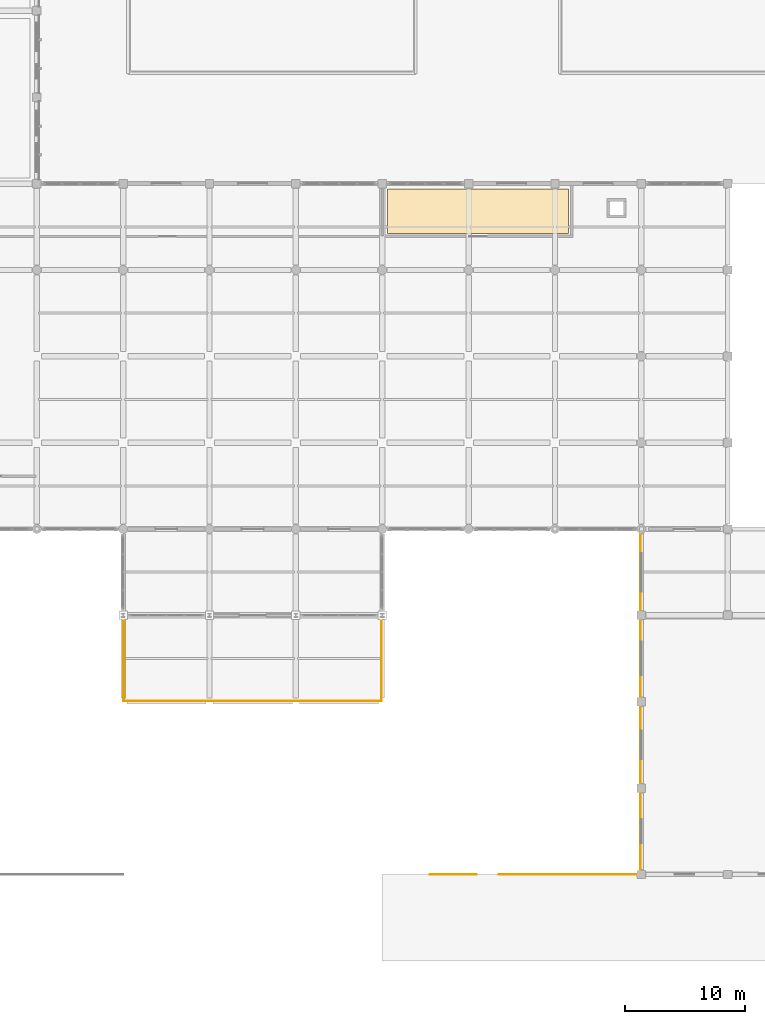
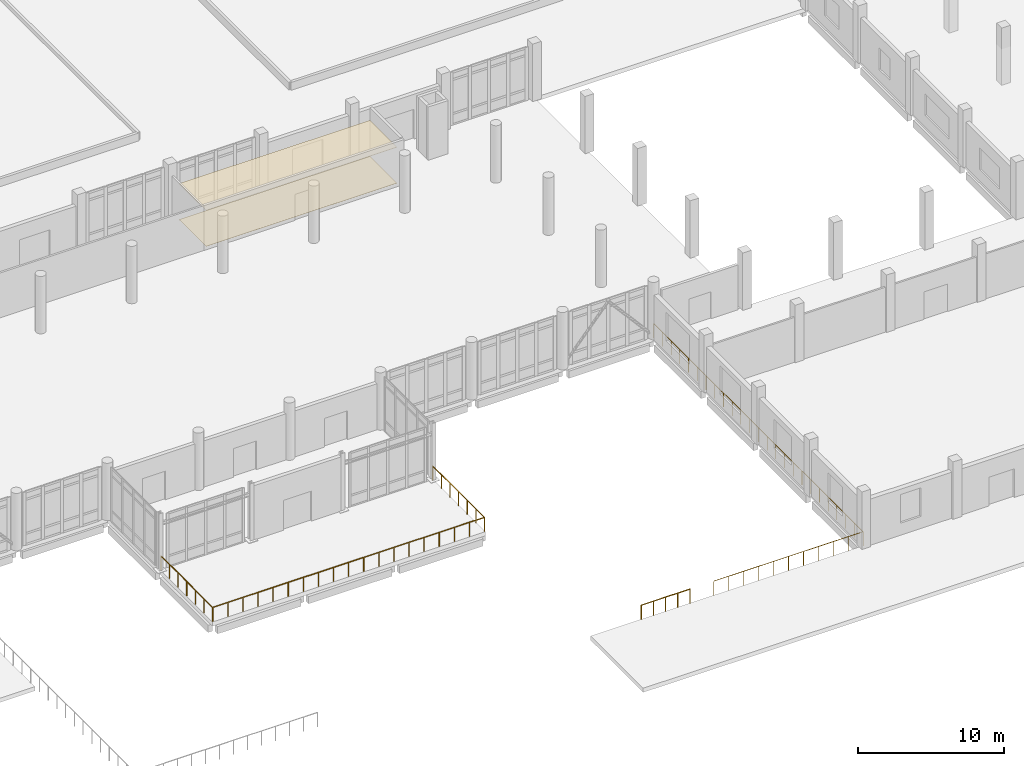
# One storey, part 50 of 59: 3 railings, 2 coverings.
"""IFC4 building model written with IfcOpenShell, lengths in metres."""

from ifc_helpers import new_model, si_unit, direction, frame, origin, origin_2d, place, context, subcontext, project, spatial, polyline, circle, outline, extrude, material, layer, layer_set, type_object, element, save


model = new_model("IFC4")

# Units and contexts
model_context = context("Model", 3, precision=1e-05, world=origin(), true_north=direction((0.0, 1.0)))
body_context = subcontext(model_context, "Body", "Model", "MODEL_VIEW")
ifc_project = project(units=[si_unit("LENGTHUNIT", "METRE"), si_unit("AREAUNIT", "SQUARE_METRE"), si_unit("VOLUMEUNIT", "CUBIC_METRE"), si_unit("PLANEANGLEUNIT", "RADIAN"), si_unit("MASSUNIT", "GRAM", prefix="KILO")], contexts=[model_context])

# Site, building, storey
site_placement = place(None, origin())
site = spatial("IfcSite", under=ifc_project, at=site_placement, CompositionType="ELEMENT")
building_placement = place(site_placement, origin())
building = spatial("IfcBuilding", under=site, at=building_placement, Name="Valkovuoma Quantum and Materials Research Institute", CompositionType="ELEMENT")
storey_placement = place(building_placement, origin())
storey = spatial("IfcBuildingStorey", under=building, at=storey_placement, Name="L00", CompositionType="ELEMENT", Elevation=0.0)

# Coverings
ifc_material_1 = material(Name="Cleanable acoustic mineral-fibre suspended ceiling", Category="masonry")
ifc_layer_1 = layer(ifc_material_1, 0.02490234375)
ifc_layer_set_1 = layer_set([ifc_layer_1], Name="Cleanable acoustic mineral-fibre suspended ceiling")
covering_type_1 = type_object("IfcCoveringType", Name="Cov-CEIL-01", PredefinedType="CEILING", material=ifc_layer_set_1)
covering_1_placement = place(storey_placement, frame((0.0, 0.0, 3.0)))
element("IfcCovering", 1, at=covering_1_placement, inside=storey, type_object=covering_type_1, Name="L00 acoustic ceiling 0011", PredefinedType="CEILING", context=body_context, shape_type="SweptSolid", body=[
    extrude(outline(polyline([(79.64990234375, 60.64990234375), (94.75, 60.64990234375), (94.75, 64.35009765625), (79.64990234375, 64.35009765625), (79.64990234375, 60.64990234375)])), origin(), (0.0, 0.0, 1.0), 0.02490234375),
])
ifc_material_2 = material(Name="Seamless dissipative laboratory resin flooring", Category="masonry")
ifc_layer_2 = layer(ifc_material_2, 0.014892578125)
ifc_layer_set_2 = layer_set([ifc_layer_2], Name="Seamless dissipative laboratory resin flooring")
covering_type_2 = type_object("IfcCoveringType", Name="Cov-FLOR-01", PredefinedType="FLOORING", material=ifc_layer_set_2)
covering_2_placement = place(storey_placement, origin())
element("IfcCovering", 2, at=covering_2_placement, inside=storey, type_object=covering_type_2, Name="L00 resin flooring 0011", PredefinedType="FLOORING", context=body_context, shape_type="SweptSolid", body=[
    extrude(outline(polyline([(79.64990234375, 60.64990234375), (94.75, 60.64990234375), (94.75, 64.35009765625), (79.64990234375, 64.35009765625), (79.64990234375, 60.64990234375)])), origin(), (0.0, 0.0, 1.0), 0.014892578125),
])

# Railings
ifc_material_3 = material(Name="Hot-dip galvanised and powder-coated steel guardrail", Category="steel")
railing_type = type_object("IfcRailingType", Name="Rail-GRD-EXT", PredefinedType="BALUSTRADE", material=ifc_material_3)
railing_1_placement = place(storey_placement, frame((57.64990234375, 28.75, 0.0)))
element("IfcRailing", 3, at=railing_1_placement, inside=storey, type_object=railing_type, Name="L00 perimeter balustrade 06", PredefinedType="BALUSTRADE", context=body_context, shape_type="SweptSolid", body=[
    extrude(circle(Radius=0.02392578125, at=origin_2d()), frame((0.0, 0.0, 1.17578125), z_axis=(0.0, -1.0, 0.0), x_axis=(1.0, 0.0, 0.0)), (0.0, 0.0, 1.0), 7.10009765625),
    extrude(circle(Radius=0.02392578125, at=origin_2d()), frame((0.0, -7.10009765625, 1.17578125), z_axis=(1.0, 0.0, 0.0), x_axis=(0.0, 1.0, 0.0)), (0.0, 0.0, 1.0), 21.5),
    extrude(circle(Radius=0.02392578125, at=origin_2d()), frame((21.5, -7.10009765625, 1.17578125), z_axis=(0.0, 1.0, 0.0), x_axis=(-1.0, 0.0, 0.0)), (0.0, 0.0, 1.0), 7.10009765625),
    extrude(circle(Radius=0.02099609375, at=origin_2d()), origin(), (0.0, 0.0, 1.0), 1.15185546875),
    extrude(circle(Radius=0.02099609375, at=origin_2d()), frame((0.0, -1.183349609375, 0.0)), (0.0, 0.0, 1.0), 1.15185546875),
    extrude(circle(Radius=0.02099609375, at=origin_2d()), frame((0.0, -2.36669921875, 0.0)), (0.0, 0.0, 1.0), 1.15185546875),
    extrude(circle(Radius=0.02099609375, at=origin_2d()), frame((0.0, -3.550048828125, 0.0)), (0.0, 0.0, 1.0), 1.15185546875),
    extrude(circle(Radius=0.02099609375, at=origin_2d()), frame((0.0, -4.7333984375, 0.0)), (0.0, 0.0, 1.0), 1.15185546875),
    extrude(circle(Radius=0.02099609375, at=origin_2d()), frame((0.0, -5.916748046875, 0.0)), (0.0, 0.0, 1.0), 1.15185546875),
    extrude(circle(Radius=0.02099609375, at=origin_2d()), frame((0.0, -7.10009765625, 0.0)), (0.0, 0.0, 1.0), 1.15185546875),
    extrude(circle(Radius=0.02099609375, at=origin_2d()), frame((1.1943359375, -7.10009765625, 0.0)), (0.0, 0.0, 1.0), 1.15185546875),
    extrude(circle(Radius=0.02099609375, at=origin_2d()), frame((2.388916015625, -7.10009765625, 0.0)), (0.0, 0.0, 1.0), 1.15185546875),
    extrude(circle(Radius=0.02099609375, at=origin_2d()), frame((3.583251953125, -7.10009765625, 0.0)), (0.0, 0.0, 1.0), 1.15185546875),
    extrude(circle(Radius=0.02099609375, at=origin_2d()), frame((4.77783203125, -7.10009765625, 0.0)), (0.0, 0.0, 1.0), 1.15185546875),
    extrude(circle(Radius=0.02099609375, at=origin_2d()), frame((5.97216796875, -7.10009765625, 0.0)), (0.0, 0.0, 1.0), 1.15185546875),
    extrude(circle(Radius=0.02099609375, at=origin_2d()), frame((7.166748046875, -7.10009765625, 0.0)), (0.0, 0.0, 1.0), 1.15185546875),
    extrude(circle(Radius=0.02099609375, at=origin_2d()), frame((8.361083984375, -7.10009765625, 0.0)), (0.0, 0.0, 1.0), 1.15185546875),
    extrude(circle(Radius=0.02099609375, at=origin_2d()), frame((9.5556640625, -7.10009765625, 0.0)), (0.0, 0.0, 1.0), 1.15185546875),
    extrude(circle(Radius=0.02099609375, at=origin_2d()), frame((10.75, -7.10009765625, 0.0)), (0.0, 0.0, 1.0), 1.15185546875),
    extrude(circle(Radius=0.02099609375, at=origin_2d()), frame((11.9443359375, -7.10009765625, 0.0)), (0.0, 0.0, 1.0), 1.15185546875),
    extrude(circle(Radius=0.02099609375, at=origin_2d()), frame((13.138916015625, -7.10009765625, 0.0)), (0.0, 0.0, 1.0), 1.15185546875),
    extrude(circle(Radius=0.02099609375, at=origin_2d()), frame((14.333251953125, -7.10009765625, 0.0)), (0.0, 0.0, 1.0), 1.15185546875),
    extrude(circle(Radius=0.02099609375, at=origin_2d()), frame((15.52783203125, -7.10009765625, 0.0)), (0.0, 0.0, 1.0), 1.15185546875),
    extrude(circle(Radius=0.02099609375, at=origin_2d()), frame((16.72216796875, -7.10009765625, 0.0)), (0.0, 0.0, 1.0), 1.15185546875),
    extrude(circle(Radius=0.02099609375, at=origin_2d()), frame((17.916748046875, -7.10009765625, 0.0)), (0.0, 0.0, 1.0), 1.15185546875),
    extrude(circle(Radius=0.02099609375, at=origin_2d()), frame((19.111083984375, -7.10009765625, 0.0)), (0.0, 0.0, 1.0), 1.15185546875),
    extrude(circle(Radius=0.02099609375, at=origin_2d()), frame((20.3056640625, -7.10009765625, 0.0)), (0.0, 0.0, 1.0), 1.15185546875),
    extrude(circle(Radius=0.02099609375, at=origin_2d()), frame((21.5, -7.10009765625, 0.0)), (0.0, 0.0, 1.0), 1.15185546875),
    extrude(circle(Radius=0.02099609375, at=origin_2d()), frame((21.5, -5.916748046875, 0.0)), (0.0, 0.0, 1.0), 1.15185546875),
    extrude(circle(Radius=0.02099609375, at=origin_2d()), frame((21.5, -4.7333984375, 0.0)), (0.0, 0.0, 1.0), 1.15185546875),
    extrude(circle(Radius=0.02099609375, at=origin_2d()), frame((21.5, -3.550048828125, 0.0)), (0.0, 0.0, 1.0), 1.15185546875),
    extrude(circle(Radius=0.02099609375, at=origin_2d()), frame((21.5, -2.36669921875, 0.0)), (0.0, 0.0, 1.0), 1.15185546875),
    extrude(circle(Radius=0.02099609375, at=origin_2d()), frame((21.5, -1.183349609375, 0.0)), (0.0, 0.0, 1.0), 1.15185546875),
    extrude(circle(Radius=0.02099609375, at=origin_2d()), frame((21.5, 0.0, 0.0)), (0.0, 0.0, 1.0), 1.15185546875),
])
railing_2_placement = place(storey_placement, frame((83.199951171875, 7.199951171875, 0.0)))
element("IfcRailing", 4, at=railing_2_placement, inside=storey, type_object=railing_type, Name="L00 perimeter balustrade 07", PredefinedType="BALUSTRADE", context=body_context, shape_type="SweptSolid", body=[
    extrude(circle(Radius=0.02392578125, at=origin_2d()), frame((0.0, 0.0, 1.17578125), z_axis=(1.0, 0.0, 0.0), x_axis=(0.0, 1.0, 0.0)), (0.0, 0.0, 1.0), 3.85009765625),
    extrude(circle(Radius=0.02099609375, at=origin_2d()), origin(), (0.0, 0.0, 1.0), 1.15185546875),
    extrude(circle(Radius=0.02099609375, at=origin_2d()), frame((0.96240234375, 0.0, 0.0)), (0.0, 0.0, 1.0), 1.15185546875),
    extrude(circle(Radius=0.02099609375, at=origin_2d()), frame((1.925048828125, 0.0, 0.0)), (0.0, 0.0, 1.0), 1.15185546875),
    extrude(circle(Radius=0.02099609375, at=origin_2d()), frame((2.8876953125, 0.0, 0.0)), (0.0, 0.0, 1.0), 1.15185546875),
    extrude(circle(Radius=0.02099609375, at=origin_2d()), frame((3.85009765625, 0.0, 0.0)), (0.0, 0.0, 1.0), 1.15185546875),
])
railing_3_placement = place(storey_placement, frame((88.949951171875, 7.199951171875, 0.0)))
element("IfcRailing", 5, at=railing_3_placement, inside=storey, type_object=railing_type, Name="L00 perimeter balustrade 08", PredefinedType="BALUSTRADE", context=body_context, shape_type="SweptSolid", body=[
    extrude(circle(Radius=0.02392578125, at=origin_2d()), frame((0.0, 0.0, 1.17578125), z_axis=(1.0, 0.0, 0.0), x_axis=(0.0, 1.0, 0.0)), (0.0, 0.0, 1.0), 11.800048828125),
    extrude(circle(Radius=0.02392578125, at=origin_2d()), frame((11.800048828125, 0.0, 1.17578125), z_axis=(0.0, 1.0, 0.0), x_axis=(-1.0, 0.0, 0.0)), (0.0, 0.0, 1.0), 28.699951171875),
    extrude(circle(Radius=0.02099609375, at=origin_2d()), origin(), (0.0, 0.0, 1.0), 1.15185546875),
    extrude(circle(Radius=0.02099609375, at=origin_2d()), frame((1.179931640625, 0.0, 0.0)), (0.0, 0.0, 1.0), 1.15185546875),
    extrude(circle(Radius=0.02099609375, at=origin_2d()), frame((2.360107421875, 0.0, 0.0)), (0.0, 0.0, 1.0), 1.15185546875),
    extrude(circle(Radius=0.02099609375, at=origin_2d()), frame((3.5400390625, 0.0, 0.0)), (0.0, 0.0, 1.0), 1.15185546875),
    extrude(circle(Radius=0.02099609375, at=origin_2d()), frame((4.719970703125, 0.0, 0.0)), (0.0, 0.0, 1.0), 1.15185546875),
    extrude(circle(Radius=0.02099609375, at=origin_2d()), frame((5.89990234375, 0.0, 0.0)), (0.0, 0.0, 1.0), 1.15185546875),
    extrude(circle(Radius=0.02099609375, at=origin_2d()), frame((7.080078125, 0.0, 0.0)), (0.0, 0.0, 1.0), 1.15185546875),
    extrude(circle(Radius=0.02099609375, at=origin_2d()), frame((8.260009765625, 0.0, 0.0)), (0.0, 0.0, 1.0), 1.15185546875),
    extrude(circle(Radius=0.02099609375, at=origin_2d()), frame((9.43994140625, 0.0, 0.0)), (0.0, 0.0, 1.0), 1.15185546875),
    extrude(circle(Radius=0.02099609375, at=origin_2d()), frame((10.6201171875, 0.0, 0.0)), (0.0, 0.0, 1.0), 1.15185546875),
    extrude(circle(Radius=0.02099609375, at=origin_2d()), frame((11.800048828125, 0.0, 0.0)), (0.0, 0.0, 1.0), 1.15185546875),
    extrude(circle(Radius=0.02099609375, at=origin_2d()), frame((11.800048828125, 1.19580078125, 0.0)), (0.0, 0.0, 1.0), 1.15185546875),
    extrude(circle(Radius=0.02099609375, at=origin_2d()), frame((11.800048828125, 2.3916015625, 0.0)), (0.0, 0.0, 1.0), 1.15185546875),
    extrude(circle(Radius=0.02099609375, at=origin_2d()), frame((11.800048828125, 3.58740234375, 0.0)), (0.0, 0.0, 1.0), 1.15185546875),
    extrude(circle(Radius=0.02099609375, at=origin_2d()), frame((11.800048828125, 4.783203125, 0.0)), (0.0, 0.0, 1.0), 1.15185546875),
    extrude(circle(Radius=0.02099609375, at=origin_2d()), frame((11.800048828125, 5.979248046875, 0.0)), (0.0, 0.0, 1.0), 1.15185546875),
    extrude(circle(Radius=0.02099609375, at=origin_2d()), frame((11.800048828125, 7.175048828125, 0.0)), (0.0, 0.0, 1.0), 1.15185546875),
    extrude(circle(Radius=0.02099609375, at=origin_2d()), frame((11.800048828125, 8.370849609375, 0.0)), (0.0, 0.0, 1.0), 1.15185546875),
    extrude(circle(Radius=0.02099609375, at=origin_2d()), frame((11.800048828125, 9.566650390625, 0.0)), (0.0, 0.0, 1.0), 1.15185546875),
    extrude(circle(Radius=0.02099609375, at=origin_2d()), frame((11.800048828125, 10.762451171875, 0.0)), (0.0, 0.0, 1.0), 1.15185546875),
    extrude(circle(Radius=0.02099609375, at=origin_2d()), frame((11.800048828125, 11.958251953125, 0.0)), (0.0, 0.0, 1.0), 1.15185546875),
    extrude(circle(Radius=0.02099609375, at=origin_2d()), frame((11.800048828125, 13.154052734375, 0.0)), (0.0, 0.0, 1.0), 1.15185546875),
    extrude(circle(Radius=0.02099609375, at=origin_2d()), frame((11.800048828125, 14.35009765625, 0.0)), (0.0, 0.0, 1.0), 1.15185546875),
    extrude(circle(Radius=0.02099609375, at=origin_2d()), frame((11.800048828125, 15.5458984375, 0.0)), (0.0, 0.0, 1.0), 1.15185546875),
    extrude(circle(Radius=0.02099609375, at=origin_2d()), frame((11.800048828125, 16.74169921875, 0.0)), (0.0, 0.0, 1.0), 1.15185546875),
    extrude(circle(Radius=0.02099609375, at=origin_2d()), frame((11.800048828125, 17.9375, 0.0)), (0.0, 0.0, 1.0), 1.15185546875),
    extrude(circle(Radius=0.02099609375, at=origin_2d()), frame((11.800048828125, 19.13330078125, 0.0)), (0.0, 0.0, 1.0), 1.15185546875),
    extrude(circle(Radius=0.02099609375, at=origin_2d()), frame((11.800048828125, 20.3291015625, 0.0)), (0.0, 0.0, 1.0), 1.15185546875),
    extrude(circle(Radius=0.02099609375, at=origin_2d()), frame((11.800048828125, 21.52490234375, 0.0)), (0.0, 0.0, 1.0), 1.15185546875),
    extrude(circle(Radius=0.02099609375, at=origin_2d()), frame((11.800048828125, 22.720703125, 0.0)), (0.0, 0.0, 1.0), 1.15185546875),
    extrude(circle(Radius=0.02099609375, at=origin_2d()), frame((11.800048828125, 23.91650390625, 0.0)), (0.0, 0.0, 1.0), 1.15185546875),
    extrude(circle(Radius=0.02099609375, at=origin_2d()), frame((11.800048828125, 25.112548828125, 0.0)), (0.0, 0.0, 1.0), 1.15185546875),
    extrude(circle(Radius=0.02099609375, at=origin_2d()), frame((11.800048828125, 26.308349609375, 0.0)), (0.0, 0.0, 1.0), 1.15185546875),
    extrude(circle(Radius=0.02099609375, at=origin_2d()), frame((11.800048828125, 27.504150390625, 0.0)), (0.0, 0.0, 1.0), 1.15185546875),
    extrude(circle(Radius=0.02099609375, at=origin_2d()), frame((11.800048828125, 28.699951171875, 0.0)), (0.0, 0.0, 1.0), 1.15185546875),
])

save(model, "model.ifc")
